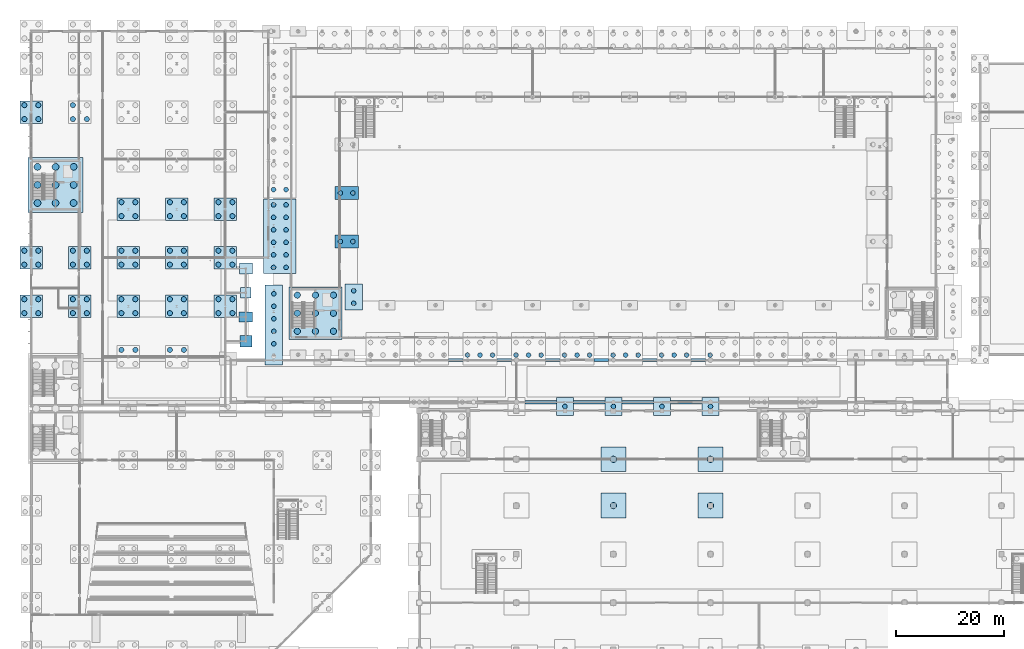
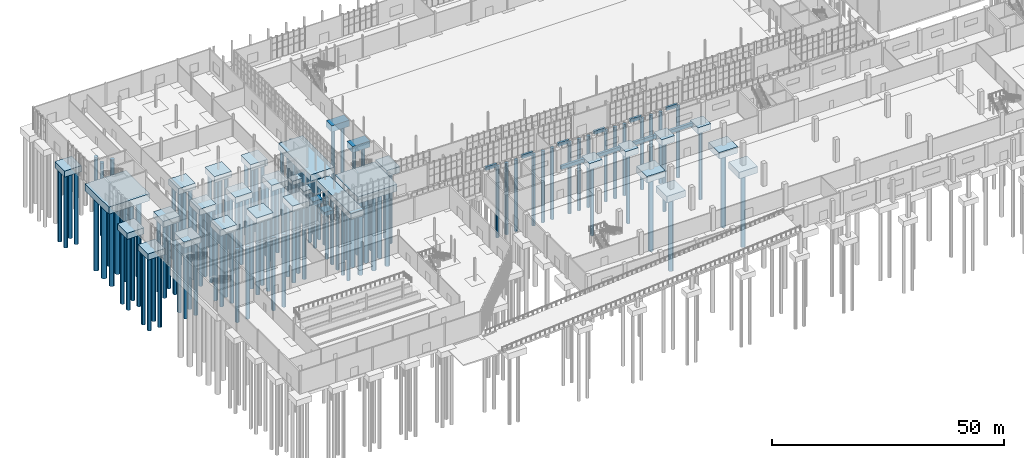
# One storey, part 3 of 131: 130 piles, 43 footings.
"""IFC4 building model written with IfcOpenShell, lengths in metres."""

import ifcopenshell
import ifcopenshell.guid

model = None  # the IFC model being written
_history = None  # IfcOwnerHistory: only IFC2X3 demands one
_inside = {}  # id of a spatial element -> (the spatial element, [elements in it])
_under = {}  # id of a project, library or spatial element -> (it, [spatial elements below it])
_declared = {}  # id of a project -> (the project, [libraries it declares])
_typed = {}  # id of a type object -> (the type object, [elements of that type])
_made_of = {}  # id of a material, layer set ... -> (it, [elements and type objects made of it])


def new_model(schema):
    """Start an empty IFC model of exactly this schema.

    Asked for "IFC4X3", IfcOpenShell would pick the latest addendum, in which some entities
    have other attributes; the version numbers below select the first issue.
    IFC2X3 requires an IfcOwnerHistory on every rooted entity: one is made here for all.
    """
    global model, _history
    if schema == "IFC4X3":
        model = ifcopenshell.file(schema_version=(4, 3, 0, 0))
    else:
        model = ifcopenshell.file(schema=schema)
    _inside.clear()
    _under.clear()
    _declared.clear()
    _typed.clear()
    _made_of.clear()
    _history = None
    if model.schema == "IFC2X3":
        org = make("IfcOrganization", Name="unknown")
        user = make(
            "IfcPersonAndOrganization",
            ThePerson=make("IfcPerson", FamilyName="unknown"),
            TheOrganization=org,
        )
        app = make(
            "IfcApplication",
            ApplicationDeveloper=org,
            Version="unknown",
            ApplicationFullName="unknown",
            ApplicationIdentifier="unknown",
        )
        _history = make(
            "IfcOwnerHistory",
            OwningUser=user,
            OwningApplication=app,
            ChangeAction="ADDED",
            CreationDate=0,
        )
    return model


def make(cls, **values):
    """One entity of the class cls with the attributes given. An attribute that is None is left unset."""
    return model.create_entity(
        cls, **{name: value for name, value in values.items() if value is not None}
    )


def rooted(cls, **values):
    """An entity with a GlobalId (a new one), such as an element, a storey or a relation."""
    return make(cls, GlobalId=ifcopenshell.guid.new(), OwnerHistory=_history, **values)


def si_unit(unit_type, name, prefix=None):
    """IfcSIUnit, for example si_unit("LENGTHUNIT", "METRE", prefix="MILLI")."""
    return make("IfcSIUnit", UnitType=unit_type, Prefix=prefix, Name=name)


def assignment(units):
    """IfcUnitAssignment: the units of a project."""
    return None if units is None else make("IfcUnitAssignment", Units=units)


def point(xyz):
    """IfcCartesianPoint."""
    return None if xyz is None else make("IfcCartesianPoint", Coordinates=xyz)


def direction(xyz):
    """IfcDirection."""
    return None if xyz is None else make("IfcDirection", DirectionRatios=xyz)


def frame(location, z_axis=None, x_axis=None):
    """IfcAxis2Placement3D, a coordinate frame: its origin and axes. An axis left out is left unset."""
    return make(
        "IfcAxis2Placement3D",
        Location=point(location),
        Axis=direction(z_axis),
        RefDirection=direction(x_axis),
    )


def frame_2d(location, x_axis=None):
    """IfcAxis2Placement2D, a coordinate frame in the plane: its origin and x axis."""
    return make(
        "IfcAxis2Placement2D", Location=point(location), RefDirection=direction(x_axis)
    )


def origin():
    """The frame at (0, 0, 0) with its axes left unset."""
    return frame((0.0, 0.0, 0.0))


def origin_2d():
    """The frame at (0, 0) in the plane with its x axis left unset."""
    return frame_2d((0.0, 0.0))


def place(relative_to, where):
    """IfcLocalPlacement: puts the frame where relative to a parent placement (None: the world)."""
    return make(
        "IfcLocalPlacement", PlacementRelTo=relative_to, RelativePlacement=where
    )


def context(
    kind, dimensions, precision=None, world=None, true_north=None, identifier=None
):
    """IfcGeometricRepresentationContext, for example the 3D "Model" context."""
    return make(
        "IfcGeometricRepresentationContext",
        ContextIdentifier=identifier,
        ContextType=kind,
        CoordinateSpaceDimension=dimensions,
        Precision=precision,
        WorldCoordinateSystem=world,
        TrueNorth=true_north,
    )


def subcontext(parent, identifier, kind, view, scale=None):
    """IfcGeometricRepresentationSubContext, for example "Body" below "Model"."""
    return make(
        "IfcGeometricRepresentationSubContext",
        ContextIdentifier=identifier,
        ContextType=kind,
        ParentContext=parent,
        TargetScale=scale,
        TargetView=view,
    )


def project(units=None, contexts=None):
    """IfcProject with its units and contexts."""
    return rooted(
        "IfcProject",
        Name="project",
        RepresentationContexts=contexts,
        UnitsInContext=assignment(units),
    )


def spatial(cls, under=None, at=None, **own):
    """A site, building, storey or space (cls), placed at a placement, below another one or the project."""
    s = rooted(cls, ObjectPlacement=at, **own)
    if under is not None:
        _under.setdefault(under.id(), (under, []))[1].append(s)
    return s


def profile(cls, at=None, kind="AREA", **sizes):
    """A parametric profile (cls). Its sizes go by their IFC names, for example OverallWidth=200.0."""
    return make(cls, ProfileType=kind, Position=at, **sizes)


def rectangle(**sizes):
    """IfcRectangleProfileDef."""
    return profile("IfcRectangleProfileDef", **sizes)


def circle(**sizes):
    """IfcCircleProfileDef."""
    return profile("IfcCircleProfileDef", **sizes)


def extrude(swept, where, along, depth):
    """IfcExtrudedAreaSolid: the profile swept, set in the frame where, extruded along a direction by depth."""
    return make(
        "IfcExtrudedAreaSolid",
        SweptArea=swept,
        Position=where,
        ExtrudedDirection=direction(along),
        Depth=depth,
    )


def shape(context_of_items, identifier, shape_type, items):
    """IfcShapeRepresentation: the items that make up one representation, for example the "Body"."""
    return make(
        "IfcShapeRepresentation",
        ContextOfItems=context_of_items,
        RepresentationIdentifier=identifier,
        RepresentationType=shape_type,
        Items=items,
    )


def material(Name=None, Category=None):
    """IfcMaterial."""
    return make("IfcMaterial", Name=Name, Category=Category)


def material_profile(
    of_material, cross_section, Name=None, Category=None, Priority=None
):
    """IfcMaterialProfile: a cross section and its material."""
    return make(
        "IfcMaterialProfile",
        Name=Name,
        Material=of_material,
        Profile=cross_section,
        Priority=Priority,
        Category=Category,
    )


def profile_set(profiles, Name=None, composite=None):
    """IfcMaterialProfileSet."""
    return make(
        "IfcMaterialProfileSet",
        Name=Name,
        MaterialProfiles=profiles,
        CompositeProfile=composite,
    )


def made_of(thing, what):
    """Note that an element or type object is made of a material, layer set ...; save() writes the relation."""
    if what is not None:
        _made_of.setdefault(what.id(), (what, []))[1].append(thing)
    return thing


def type_object(cls, material=None, **own):
    """A type object (cls), such as IfcWallType, which elements share."""
    return made_of(rooted(cls, **own), material)


def element(
    cls,
    number,
    at=None,
    inside=None,
    cuts=None,
    type_object=None,
    material=None,
    context=None,
    identifier="Body",
    shape_type=None,
    held_by="IfcProductDefinitionShape",
    body=None,
    shapes=None,
    **own,
):
    """One element of the class cls, such as IfcWall. Its Tag is "e" and its number.

    at: its placement. inside: the storey or other place that contains it. cuts: it is an
    opening in that element (IfcRelVoidsElement). A single representation is given by context,
    identifier, shape_type and body (its items); several are given by shapes. held_by: the class
    of the entity that holds the representations. save() writes the other relations.
    """
    e = rooted(cls, Tag="e%d" % number, ObjectPlacement=at, **own)
    if body is not None:
        shapes = [shape(context, identifier, shape_type, body)]
    if shapes is not None:
        e.Representation = make(held_by, Representations=shapes)
    if inside is not None:
        _inside.setdefault(inside.id(), (inside, []))[1].append(e)
    if cuts is not None:
        rooted(
            "IfcRelVoidsElement", RelatingBuildingElement=cuts, RelatedOpeningElement=e
        )
    if type_object is not None:
        _typed.setdefault(type_object.id(), (type_object, []))[1].append(e)
    return made_of(e, material)


def aggregate(whole, parts):
    """IfcRelAggregates: a whole, such as a stair, and the parts it consists of."""
    return rooted("IfcRelAggregates", RelatingObject=whole, RelatedObjects=parts)


def save(model, path):
    """Write the relations noted so far, then the file.

    IfcRelAggregates (storeys below a building ...), IfcRelContainedInSpatialStructure (elements
    in a storey), IfcRelDefinesByType, IfcRelAssociatesMaterial and IfcRelDeclares: one each for
    every whole, place, type object, material and project.
    """
    for whole, parts in _under.values():
        aggregate(whole, parts)
    for where, things in _inside.values():
        rooted(
            "IfcRelContainedInSpatialStructure",
            RelatedElements=things,
            RelatingStructure=where,
        )
    for kind, things in _typed.values():
        rooted("IfcRelDefinesByType", RelatedObjects=things, RelatingType=kind)
    for what, things in _made_of.values():
        rooted("IfcRelAssociatesMaterial", RelatedObjects=things, RelatingMaterial=what)
    for by, libraries in _declared.values():
        rooted("IfcRelDeclares", RelatingContext=by, RelatedDefinitions=libraries)
    model.write(path)


model = new_model("IFC4")

# Units and contexts
model_context = context("Model", 3, precision=1e-05, world=origin(), true_north=direction((0.0, 1.0)))
body_context = subcontext(model_context, "Body", "Model", "MODEL_VIEW")
ifc_project = project(units=[si_unit("LENGTHUNIT", "METRE"), si_unit("AREAUNIT", "SQUARE_METRE"), si_unit("VOLUMEUNIT", "CUBIC_METRE"), si_unit("PLANEANGLEUNIT", "RADIAN"), si_unit("MASSUNIT", "GRAM", prefix="KILO")], contexts=[model_context])

# Site, building, storey
site_placement = place(None, origin())
site = spatial("IfcSite", under=ifc_project, at=site_placement, CompositionType="ELEMENT")
building_placement = place(site_placement, origin())
building = spatial("IfcBuilding", under=site, at=building_placement, Name="Cazmaro Siding Exhibition Halls", CompositionType="ELEMENT")
storey_placement = place(building_placement, origin())
storey = spatial("IfcBuildingStorey", under=building, at=storey_placement, Name="L00", CompositionType="ELEMENT", Elevation=0.0)

# Footings
ifc_material_1 = material(Name="Concrete f'c 35 MPa", Category="concrete")
footing_type_1 = type_object("IfcFootingType", Name="GB-0270", PredefinedType="FOOTING_BEAM", material=ifc_material_1)
for number, where, z_axis, x_axis, name in (
    (1, (78.75, 63.0, -0.89990234375), (0.0, 0.0, 1.0), (1.0, 0.0, 0.0), "Seismic tie ground beam GB-0270 FTG-0269"),
    (2, (87.75, 63.0, -0.89990234375), (0.0, 0.0, 1.0), (1.0, 0.0, 0.0), "Seismic tie ground beam GB-0270 FTG-0270"),
    (3, (96.75, 63.0, -0.89990234375), (0.0, 0.0, 1.0), (1.0, 0.0, 0.0), "Seismic tie ground beam GB-0270 FTG-0271"),
    (4, (105.75, 63.0, -0.89990234375), (0.0, 0.0, 1.0), (1.0, 0.0, 0.0), "Seismic tie ground beam GB-0270 FTG-0272"),
    (5, (114.75, 63.0, -0.89990234375), (0.0, 0.0, 1.0), (1.0, 0.0, 0.0), "Seismic tie ground beam GB-0270 FTG-0273"),
    (6, (123.75, 63.0, -0.89990234375), (0.0, 0.0, 1.0), (1.0, 0.0, 0.0), "Seismic tie ground beam GB-0270 FTG-0274"),
):
    element("IfcFooting", number, at=place(storey_placement, frame(where, z_axis=z_axis, x_axis=x_axis)), inside=storey, type_object=footing_type_1, Name=name, PredefinedType="FOOTING_BEAM", context=body_context, shape_type="SweptSolid", body=[
        extrude(rectangle(XDim=2.699951171875, YDim=0.60009765625, at=origin_2d()), origin(), (0.0, 0.0, 1.0), 0.89990234375),
    ])
ifc_material_2 = material(Name="Concrete f'c 35 MPa", Category="concrete")
footing_type_2 = type_object("IfcFootingType", Name="GB-0580", PredefinedType="FOOTING_BEAM", material=ifc_material_2)
for number, where, z_axis, x_axis, name in (
    (7, (94.5, 55.199951171875, -0.89990234375), (0.0, 0.0, 1.0), (1.0, 0.0, 0.0), "Seismic tie ground beam GB-0580 FTG-0252"),
    (8, (103.5, 55.199951171875, -0.89990234375), (0.0, 0.0, 1.0), (1.0, 0.0, 0.0), "Seismic tie ground beam GB-0580 FTG-0253"),
    (9, (112.5, 55.199951171875, -0.89990234375), (0.0, 0.0, 1.0), (1.0, 0.0, 0.0), "Seismic tie ground beam GB-0580 FTG-0254"),
    (10, (121.5, 55.199951171875, -0.89990234375), (0.0, 0.0, 1.0), (1.0, 0.0, 0.0), "Seismic tie ground beam GB-0580 FTG-0255"),
):
    element("IfcFooting", number, at=place(storey_placement, frame(where, z_axis=z_axis, x_axis=x_axis)), inside=storey, type_object=footing_type_2, Name=name, PredefinedType="FOOTING_BEAM", context=body_context, shape_type="SweptSolid", body=[
        extrude(rectangle(XDim=5.800048828125, YDim=0.60009765625, at=origin_2d()), origin(), (0.0, 0.0, 1.0), 0.89990234375),
    ])

# Piles
ifc_material_3 = material(Name="Concrete f'c 35 MPa", Category="concrete")
ifc_material_profile_1 = material_profile(ifc_material_3, circle(Radius=0.429931640625, at=origin_2d()), Name="CIDH-860")
ifc_profile_set_1 = profile_set([ifc_material_profile_1], Name="Concrete f'c 35 MPa")
pile_type_1 = type_object("IfcPileType", Name="P-03", PredefinedType="BORED", material=ifc_profile_set_1)
for number, where, z_axis, x_axis, name in (
    (11, (44.93896484375, 80.195068359375, -1.5), (0.0, 0.0, -1.0), (1.0, 0.0, 0.0), "Bored pile P-03 PIL-0266"),
    (12, (44.93896484375, 82.51708984375, -1.5), (0.0, 0.0, -1.0), (1.0, 0.0, 0.0), "Bored pile P-03 PIL-0267"),
    (13, (44.93896484375, 84.839111328125, -1.5), (0.0, 0.0, -1.0), (1.0, 0.0, 0.0), "Bored pile P-03 PIL-0268"),
    (14, (44.93896484375, 87.160888671875, -1.5), (0.0, 0.0, -1.0), (1.0, 0.0, 0.0), "Bored pile P-03 PIL-0269"),
    (15, (44.93896484375, 89.48291015625, -1.5), (0.0, 0.0, -1.0), (1.0, 0.0, 0.0), "Bored pile P-03 PIL-0270"),
    (16, (44.93896484375, 91.804931640625, -1.5), (0.0, 0.0, -1.0), (1.0, 0.0, 0.0), "Bored pile P-03 PIL-0271"),
    (17, (47.260986328125, 80.195068359375, -1.5), (0.0, 0.0, -1.0), (1.0, 0.0, 0.0), "Bored pile P-03 PIL-0272"),
    (18, (47.260986328125, 82.51708984375, -1.5), (0.0, 0.0, -1.0), (1.0, 0.0, 0.0), "Bored pile P-03 PIL-0273"),
    (19, (47.260986328125, 84.839111328125, -1.5), (0.0, 0.0, -1.0), (1.0, 0.0, 0.0), "Bored pile P-03 PIL-0274"),
    (20, (47.260986328125, 87.160888671875, -1.5), (0.0, 0.0, -1.0), (1.0, 0.0, 0.0), "Bored pile P-03 PIL-0275"),
    (21, (47.260986328125, 89.48291015625, -1.5), (0.0, 0.0, -1.0), (1.0, 0.0, 0.0), "Bored pile P-03 PIL-0276"),
    (22, (47.260986328125, 91.804931640625, -1.5), (0.0, 0.0, -1.0), (1.0, 0.0, 0.0), "Bored pile P-03 PIL-0277"),
    (23, (44.93896484375, 94.62890625, -1.5), (0.0, 0.0, -1.0), (1.0, 0.0, 0.0), "Bored pile P-03 PIL-0278"),
    (24, (47.260986328125, 94.62890625, -1.5), (0.0, 0.0, -1.0), (1.0, 0.0, 0.0), "Bored pile P-03 PIL-0290"),
    (25, (45.0, 66.01708984375, -1.5), (0.0, 0.0, -1.0), (1.0, 0.0, 0.0), "Bored pile P-03 PIL-0315"),
    (26, (45.0, 68.339111328125, -1.5), (0.0, 0.0, -1.0), (1.0, 0.0, 0.0), "Bored pile P-03 PIL-0316"),
    (27, (45.0, 70.660888671875, -1.5), (0.0, 0.0, -1.0), (1.0, 0.0, 0.0), "Bored pile P-03 PIL-0317"),
    (28, (45.0, 72.98291015625, -1.5), (0.0, 0.0, -1.0), (1.0, 0.0, 0.0), "Bored pile P-03 PIL-0318"),
    (29, (45.0, 75.304931640625, -1.5), (0.0, 0.0, -1.0), (1.0, 0.0, 0.0), "Bored pile P-03 PIL-0319"),
    (30, (57.339111328125, 85.0, -1.5), (0.0, 0.0, -1.0), (1.0, 0.0, 0.0), "Bored pile P-03 PIL-0348"),
    (31, (59.660888671875, 85.0, -1.5), (0.0, 0.0, -1.0), (1.0, 0.0, 0.0), "Bored pile P-03 PIL-0349"),
    (32, (57.339111328125, 94.0, -1.5), (0.0, 0.0, -1.0), (1.0, 0.0, 0.0), "Bored pile P-03 PIL-0350"),
    (33, (59.660888671875, 94.0, -1.5), (0.0, 0.0, -1.0), (1.0, 0.0, 0.0), "Bored pile P-03 PIL-0351"),
    (34, (59.800048828125, 73.5390625, -1.5), (0.0, 0.0, -1.0), (1.0, 0.0, 0.0), "Bored pile P-03 PIL-0360"),
    (35, (59.800048828125, 75.861083984375, -1.5), (0.0, 0.0, -1.0), (1.0, 0.0, 0.0), "Bored pile P-03 PIL-0361"),
    (36, (80.927978515625, 63.93896484375, -1.5), (0.0, 0.0, -1.0), (1.0, 0.0, 0.0), "Bored pile P-03 PIL-0417"),
    (37, (83.25, 63.93896484375, -1.5), (0.0, 0.0, -1.0), (1.0, 0.0, 0.0), "Bored pile P-03 PIL-0419"),
    (38, (85.572021484375, 63.93896484375, -1.5), (0.0, 0.0, -1.0), (1.0, 0.0, 0.0), "Bored pile P-03 PIL-0421"),
    (39, (89.927978515625, 63.93896484375, -1.5), (0.0, 0.0, -1.0), (1.0, 0.0, 0.0), "Bored pile P-03 PIL-0441"),
    (40, (92.25, 63.93896484375, -1.5), (0.0, 0.0, -1.0), (1.0, 0.0, 0.0), "Bored pile P-03 PIL-0443"),
    (41, (94.572021484375, 63.93896484375, -1.5), (0.0, 0.0, -1.0), (1.0, 0.0, 0.0), "Bored pile P-03 PIL-0445"),
    (42, (99.0, 54.39990234375, -1.5), (0.0, 0.0, -1.0), (1.0, 0.0, 0.0), "Bored pile P-03 PIL-0458"),
    (43, (98.927978515625, 63.93896484375, -1.5), (0.0, 0.0, -1.0), (1.0, 0.0, 0.0), "Bored pile P-03 PIL-0459"),
    (44, (101.25, 63.93896484375, -1.5), (0.0, 0.0, -1.0), (1.0, 0.0, 0.0), "Bored pile P-03 PIL-0461"),
    (45, (103.572021484375, 63.93896484375, -1.5), (0.0, 0.0, -1.0), (1.0, 0.0, 0.0), "Bored pile P-03 PIL-0463"),
    (46, (108.0, 54.39990234375, -1.5), (0.0, 0.0, -1.0), (1.0, 0.0, 0.0), "Bored pile P-03 PIL-0480"),
    (47, (107.927978515625, 63.93896484375, -1.5), (0.0, 0.0, -1.0), (1.0, 0.0, 0.0), "Bored pile P-03 PIL-0481"),
    (48, (110.25, 63.93896484375, -1.5), (0.0, 0.0, -1.0), (1.0, 0.0, 0.0), "Bored pile P-03 PIL-0483"),
    (49, (112.572021484375, 63.93896484375, -1.5), (0.0, 0.0, -1.0), (1.0, 0.0, 0.0), "Bored pile P-03 PIL-0485"),
    (50, (117.0, 54.39990234375, -1.5), (0.0, 0.0, -1.0), (1.0, 0.0, 0.0), "Bored pile P-03 PIL-0497"),
    (51, (116.927978515625, 63.93896484375, -1.5), (0.0, 0.0, -1.0), (1.0, 0.0, 0.0), "Bored pile P-03 PIL-0498"),
    (52, (119.25, 63.93896484375, -1.5), (0.0, 0.0, -1.0), (1.0, 0.0, 0.0), "Bored pile P-03 PIL-0500"),
    (53, (121.572021484375, 63.93896484375, -1.5), (0.0, 0.0, -1.0), (1.0, 0.0, 0.0), "Bored pile P-03 PIL-0502"),
    (54, (126.0, 54.39990234375, -1.5), (0.0, 0.0, -1.0), (1.0, 0.0, 0.0), "Bored pile P-03 PIL-0519"),
    (55, (125.927978515625, 63.93896484375, -1.5), (0.0, 0.0, -1.0), (1.0, 0.0, 0.0), "Bored pile P-03 PIL-0520"),
):
    element("IfcPile", number, at=place(storey_placement, frame(where, z_axis=z_axis, x_axis=x_axis)), inside=storey, type_object=pile_type_1, Name=name, PredefinedType="BORED", context=body_context, shape_type="SweptSolid", body=[
        extrude(circle(Radius=0.429931640625, at=origin_2d()), origin(), (0.0, 0.0, 1.0), 18.800048828125),
    ])
ifc_material_4 = material(Name="Concrete f'c 35 MPa", Category="concrete")
ifc_material_profile_2 = material_profile(ifc_material_4, circle(Radius=0.47998046875, at=origin_2d()), Name="CIDH-960")
ifc_profile_set_2 = profile_set([ifc_material_profile_2], Name="Concrete f'c 35 MPa")
pile_type_2 = type_object("IfcPileType", Name="P-04", PredefinedType="BORED", material=ifc_profile_set_2)
for number, where, z_axis, x_axis, name in (
    (56, (-1.2958984375, 71.7041015625, -1.5), (0.0, 0.0, -1.0), (1.0, 0.0, 0.0), "Bored pile P-04 PIL-0086"),
    (57, (1.2958984375, 71.7041015625, -1.5), (0.0, 0.0, -1.0), (1.0, 0.0, 0.0), "Bored pile P-04 PIL-0087"),
    (58, (-1.2958984375, 74.2958984375, -1.5), (0.0, 0.0, -1.0), (1.0, 0.0, 0.0), "Bored pile P-04 PIL-0088"),
    (59, (1.2958984375, 74.2958984375, -1.5), (0.0, 0.0, -1.0), (1.0, 0.0, 0.0), "Bored pile P-04 PIL-0089"),
    (60, (-1.2958984375, 80.7041015625, -1.5), (0.0, 0.0, -1.0), (1.0, 0.0, 0.0), "Bored pile P-04 PIL-0090"),
    (61, (1.2958984375, 80.7041015625, -1.5), (0.0, 0.0, -1.0), (1.0, 0.0, 0.0), "Bored pile P-04 PIL-0091"),
    (62, (-1.2958984375, 83.2958984375, -1.5), (0.0, 0.0, -1.0), (1.0, 0.0, 0.0), "Bored pile P-04 PIL-0092"),
    (63, (1.2958984375, 83.2958984375, -1.5), (0.0, 0.0, -1.0), (1.0, 0.0, 0.0), "Bored pile P-04 PIL-0093"),
    (64, (-1.2958984375, 107.7041015625, -1.5), (0.0, 0.0, -1.0), (1.0, 0.0, 0.0), "Bored pile P-04 PIL-0094"),
    (65, (1.2958984375, 107.7041015625, -1.5), (0.0, 0.0, -1.0), (1.0, 0.0, 0.0), "Bored pile P-04 PIL-0095"),
    (66, (-1.2958984375, 110.2958984375, -1.5), (0.0, 0.0, -1.0), (1.0, 0.0, 0.0), "Bored pile P-04 PIL-0096"),
    (67, (1.2958984375, 110.2958984375, -1.5), (0.0, 0.0, -1.0), (1.0, 0.0, 0.0), "Bored pile P-04 PIL-0097"),
    (68, (7.7041015625, 71.7041015625, -1.5), (0.0, 0.0, -1.0), (1.0, 0.0, 0.0), "Bored pile P-04 PIL-0114"),
    (69, (10.2958984375, 71.7041015625, -1.5), (0.0, 0.0, -1.0), (1.0, 0.0, 0.0), "Bored pile P-04 PIL-0115"),
    (70, (7.7041015625, 74.2958984375, -1.5), (0.0, 0.0, -1.0), (1.0, 0.0, 0.0), "Bored pile P-04 PIL-0116"),
    (71, (10.2958984375, 74.2958984375, -1.5), (0.0, 0.0, -1.0), (1.0, 0.0, 0.0), "Bored pile P-04 PIL-0117"),
    (72, (7.7041015625, 80.7041015625, -1.5), (0.0, 0.0, -1.0), (1.0, 0.0, 0.0), "Bored pile P-04 PIL-0118"),
    (73, (10.2958984375, 80.7041015625, -1.5), (0.0, 0.0, -1.0), (1.0, 0.0, 0.0), "Bored pile P-04 PIL-0119"),
    (74, (7.7041015625, 83.2958984375, -1.5), (0.0, 0.0, -1.0), (1.0, 0.0, 0.0), "Bored pile P-04 PIL-0120"),
    (75, (10.2958984375, 83.2958984375, -1.5), (0.0, 0.0, -1.0), (1.0, 0.0, 0.0), "Bored pile P-04 PIL-0121"),
    (76, (7.7041015625, 107.7041015625, -1.5), (0.0, 0.0, -1.0), (1.0, 0.0, 0.0), "Bored pile P-04 PIL-0122"),
    (77, (10.2958984375, 107.7041015625, -1.5), (0.0, 0.0, -1.0), (1.0, 0.0, 0.0), "Bored pile P-04 PIL-0123"),
    (78, (7.7041015625, 110.2958984375, -1.5), (0.0, 0.0, -1.0), (1.0, 0.0, 0.0), "Bored pile P-04 PIL-0124"),
    (79, (16.7041015625, 64.89599609375, -1.5), (0.0, 0.0, -1.0), (1.0, 0.0, 0.0), "Bored pile P-04 PIL-0149"),
    (80, (19.2958984375, 64.89599609375, -1.5), (0.0, 0.0, -1.0), (1.0, 0.0, 0.0), "Bored pile P-04 PIL-0150"),
    (81, (16.7041015625, 71.7041015625, -1.5), (0.0, 0.0, -1.0), (1.0, 0.0, 0.0), "Bored pile P-04 PIL-0151"),
    (82, (19.2958984375, 71.7041015625, -1.5), (0.0, 0.0, -1.0), (1.0, 0.0, 0.0), "Bored pile P-04 PIL-0152"),
    (83, (16.7041015625, 74.2958984375, -1.5), (0.0, 0.0, -1.0), (1.0, 0.0, 0.0), "Bored pile P-04 PIL-0153"),
    (84, (19.2958984375, 74.2958984375, -1.5), (0.0, 0.0, -1.0), (1.0, 0.0, 0.0), "Bored pile P-04 PIL-0154"),
    (85, (16.7041015625, 80.7041015625, -1.5), (0.0, 0.0, -1.0), (1.0, 0.0, 0.0), "Bored pile P-04 PIL-0155"),
    (86, (19.2958984375, 80.7041015625, -1.5), (0.0, 0.0, -1.0), (1.0, 0.0, 0.0), "Bored pile P-04 PIL-0156"),
    (87, (16.7041015625, 83.2958984375, -1.5), (0.0, 0.0, -1.0), (1.0, 0.0, 0.0), "Bored pile P-04 PIL-0157"),
    (88, (19.2958984375, 83.2958984375, -1.5), (0.0, 0.0, -1.0), (1.0, 0.0, 0.0), "Bored pile P-04 PIL-0158"),
    (89, (16.7041015625, 89.7041015625, -1.5), (0.0, 0.0, -1.0), (1.0, 0.0, 0.0), "Bored pile P-04 PIL-0159"),
    (90, (19.2958984375, 89.7041015625, -1.5), (0.0, 0.0, -1.0), (1.0, 0.0, 0.0), "Bored pile P-04 PIL-0160"),
    (91, (16.7041015625, 92.2958984375, -1.5), (0.0, 0.0, -1.0), (1.0, 0.0, 0.0), "Bored pile P-04 PIL-0161"),
    (92, (19.2958984375, 92.2958984375, -1.5), (0.0, 0.0, -1.0), (1.0, 0.0, 0.0), "Bored pile P-04 PIL-0162"),
    (93, (25.7041015625, 64.89599609375, -1.5), (0.0, 0.0, -1.0), (1.0, 0.0, 0.0), "Bored pile P-04 PIL-0194"),
    (94, (28.2958984375, 64.89599609375, -1.5), (0.0, 0.0, -1.0), (1.0, 0.0, 0.0), "Bored pile P-04 PIL-0195"),
    (95, (25.7041015625, 71.7041015625, -1.5), (0.0, 0.0, -1.0), (1.0, 0.0, 0.0), "Bored pile P-04 PIL-0196"),
    (96, (28.2958984375, 71.7041015625, -1.5), (0.0, 0.0, -1.0), (1.0, 0.0, 0.0), "Bored pile P-04 PIL-0197"),
    (97, (25.7041015625, 74.2958984375, -1.5), (0.0, 0.0, -1.0), (1.0, 0.0, 0.0), "Bored pile P-04 PIL-0198"),
    (98, (28.2958984375, 74.2958984375, -1.5), (0.0, 0.0, -1.0), (1.0, 0.0, 0.0), "Bored pile P-04 PIL-0199"),
    (99, (25.7041015625, 80.7041015625, -1.5), (0.0, 0.0, -1.0), (1.0, 0.0, 0.0), "Bored pile P-04 PIL-0200"),
    (100, (28.2958984375, 80.7041015625, -1.5), (0.0, 0.0, -1.0), (1.0, 0.0, 0.0), "Bored pile P-04 PIL-0201"),
    (101, (25.7041015625, 83.2958984375, -1.5), (0.0, 0.0, -1.0), (1.0, 0.0, 0.0), "Bored pile P-04 PIL-0202"),
    (102, (28.2958984375, 83.2958984375, -1.5), (0.0, 0.0, -1.0), (1.0, 0.0, 0.0), "Bored pile P-04 PIL-0203"),
    (103, (25.7041015625, 89.7041015625, -1.5), (0.0, 0.0, -1.0), (1.0, 0.0, 0.0), "Bored pile P-04 PIL-0204"),
    (104, (28.2958984375, 89.7041015625, -1.5), (0.0, 0.0, -1.0), (1.0, 0.0, 0.0), "Bored pile P-04 PIL-0205"),
    (105, (25.7041015625, 92.2958984375, -1.5), (0.0, 0.0, -1.0), (1.0, 0.0, 0.0), "Bored pile P-04 PIL-0206"),
    (106, (28.2958984375, 92.2958984375, -1.5), (0.0, 0.0, -1.0), (1.0, 0.0, 0.0), "Bored pile P-04 PIL-0207"),
    (107, (34.7041015625, 71.7041015625, -1.5), (0.0, 0.0, -1.0), (1.0, 0.0, 0.0), "Bored pile P-04 PIL-0238"),
    (108, (37.2958984375, 71.7041015625, -1.5), (0.0, 0.0, -1.0), (1.0, 0.0, 0.0), "Bored pile P-04 PIL-0239"),
    (109, (34.7041015625, 74.2958984375, -1.5), (0.0, 0.0, -1.0), (1.0, 0.0, 0.0), "Bored pile P-04 PIL-0240"),
    (110, (37.2958984375, 74.2958984375, -1.5), (0.0, 0.0, -1.0), (1.0, 0.0, 0.0), "Bored pile P-04 PIL-0241"),
    (111, (34.7041015625, 80.7041015625, -1.5), (0.0, 0.0, -1.0), (1.0, 0.0, 0.0), "Bored pile P-04 PIL-0242"),
    (112, (37.2958984375, 80.7041015625, -1.5), (0.0, 0.0, -1.0), (1.0, 0.0, 0.0), "Bored pile P-04 PIL-0243"),
    (113, (34.7041015625, 83.2958984375, -1.5), (0.0, 0.0, -1.0), (1.0, 0.0, 0.0), "Bored pile P-04 PIL-0244"),
    (114, (37.2958984375, 83.2958984375, -1.5), (0.0, 0.0, -1.0), (1.0, 0.0, 0.0), "Bored pile P-04 PIL-0245"),
    (115, (34.7041015625, 89.7041015625, -1.5), (0.0, 0.0, -1.0), (1.0, 0.0, 0.0), "Bored pile P-04 PIL-0246"),
    (116, (37.2958984375, 89.7041015625, -1.5), (0.0, 0.0, -1.0), (1.0, 0.0, 0.0), "Bored pile P-04 PIL-0247"),
    (117, (34.7041015625, 92.2958984375, -1.5), (0.0, 0.0, -1.0), (1.0, 0.0, 0.0), "Bored pile P-04 PIL-0248"),
    (118, (37.2958984375, 92.2958984375, -1.5), (0.0, 0.0, -1.0), (1.0, 0.0, 0.0), "Bored pile P-04 PIL-0249"),
):
    element("IfcPile", number, at=place(storey_placement, frame(where, z_axis=z_axis, x_axis=x_axis)), inside=storey, type_object=pile_type_2, Name=name, PredefinedType="BORED", context=body_context, shape_type="SweptSolid", body=[
        extrude(circle(Radius=0.47998046875, at=origin_2d()), origin(), (0.0, 0.0, 1.0), 19.199951171875),
    ])
ifc_material_5 = material(Name="Concrete f'c 35 MPa", Category="concrete")
ifc_material_profile_3 = material_profile(ifc_material_5, circle(Radius=0.580078125, at=origin_2d()), Name="CIDH-1160")
ifc_profile_set_3 = profile_set([ifc_material_profile_3], Name="Concrete f'c 35 MPa")
pile_type_3 = type_object("IfcPileType", Name="P-06", PredefinedType="BORED", material=ifc_profile_set_3)
for number, where, z_axis, x_axis, name in (
    (119, (49.35009765625, 68.35009765625, -1.699951171875), (0.0, 0.0, -1.0), (1.0, 0.0, 0.0), "Bored pile P-06 PIL-0016"),
    (120, (49.35009765625, 71.699951171875, -1.699951171875), (0.0, 0.0, -1.0), (1.0, 0.0, 0.0), "Bored pile P-06 PIL-0017"),
    (121, (49.35009765625, 75.050048828125, -1.699951171875), (0.0, 0.0, -1.0), (1.0, 0.0, 0.0), "Bored pile P-06 PIL-0018"),
    (122, (52.699951171875, 68.35009765625, -1.699951171875), (0.0, 0.0, -1.0), (1.0, 0.0, 0.0), "Bored pile P-06 PIL-0019"),
    (123, (52.699951171875, 71.699951171875, -1.699951171875), (0.0, 0.0, -1.0), (1.0, 0.0, 0.0), "Bored pile P-06 PIL-0020"),
    (124, (52.699951171875, 75.050048828125, -1.699951171875), (0.0, 0.0, -1.0), (1.0, 0.0, 0.0), "Bored pile P-06 PIL-0021"),
    (125, (56.050048828125, 68.35009765625, -1.699951171875), (0.0, 0.0, -1.0), (1.0, 0.0, 0.0), "Bored pile P-06 PIL-0022"),
    (126, (56.050048828125, 71.699951171875, -1.699951171875), (0.0, 0.0, -1.0), (1.0, 0.0, 0.0), "Bored pile P-06 PIL-0023"),
    (127, (56.050048828125, 75.050048828125, -1.699951171875), (0.0, 0.0, -1.0), (1.0, 0.0, 0.0), "Bored pile P-06 PIL-0024"),
    (128, (108.0, 36.0, -1.60009765625), (0.0, 0.0, -1.0), (1.0, 0.0, 0.0), "Bored pile P-06 PIL-0478"),
    (129, (108.0, 44.60009765625, -1.60009765625), (0.0, 0.0, -1.0), (1.0, 0.0, 0.0), "Bored pile P-06 PIL-0479"),
    (130, (126.0, 36.0, -1.60009765625), (0.0, 0.0, -1.0), (1.0, 0.0, 0.0), "Bored pile P-06 PIL-0517"),
    (131, (126.0, 44.60009765625, -1.60009765625), (0.0, 0.0, -1.0), (1.0, 0.0, 0.0), "Bored pile P-06 PIL-0518"),
):
    element("IfcPile", number, at=place(storey_placement, frame(where, z_axis=z_axis, x_axis=x_axis)), inside=storey, type_object=pile_type_3, Name=name, PredefinedType="BORED", context=body_context, shape_type="SweptSolid", body=[
        extrude(circle(Radius=0.580078125, at=origin_2d()), origin(), (0.0, 0.0, 1.0), 20.0),
    ])
ifc_material_6 = material(Name="Concrete f'c 35 MPa", Category="concrete")
ifc_material_profile_4 = material_profile(ifc_material_6, circle(Radius=0.6298828125, at=origin_2d()), Name="CIDH-1260")
ifc_profile_set_4 = profile_set([ifc_material_profile_4], Name="Concrete f'c 35 MPa")
pile_type_4 = type_object("IfcPileType", Name="P-07", PredefinedType="BORED", material=ifc_profile_set_4)
for number, where, z_axis, x_axis, name in (
    (132, (1.14990234375, 92.14990234375, -1.75), (0.0, 0.0, -1.0), (1.0, 0.0, 0.0), "Bored pile P-07 PIL-0061"),
    (133, (1.14990234375, 95.5, -1.75), (0.0, 0.0, -1.0), (1.0, 0.0, 0.0), "Bored pile P-07 PIL-0062"),
    (134, (1.14990234375, 98.85009765625, -1.75), (0.0, 0.0, -1.0), (1.0, 0.0, 0.0), "Bored pile P-07 PIL-0063"),
    (135, (4.5, 92.14990234375, -1.75), (0.0, 0.0, -1.0), (1.0, 0.0, 0.0), "Bored pile P-07 PIL-0064"),
    (136, (4.5, 95.5, -1.75), (0.0, 0.0, -1.0), (1.0, 0.0, 0.0), "Bored pile P-07 PIL-0065"),
    (137, (4.5, 98.85009765625, -1.75), (0.0, 0.0, -1.0), (1.0, 0.0, 0.0), "Bored pile P-07 PIL-0066"),
    (138, (7.85009765625, 92.14990234375, -1.75), (0.0, 0.0, -1.0), (1.0, 0.0, 0.0), "Bored pile P-07 PIL-0067"),
    (139, (7.85009765625, 95.5, -1.75), (0.0, 0.0, -1.0), (1.0, 0.0, 0.0), "Bored pile P-07 PIL-0068"),
    (140, (7.85009765625, 98.85009765625, -1.75), (0.0, 0.0, -1.0), (1.0, 0.0, 0.0), "Bored pile P-07 PIL-0069"),
):
    element("IfcPile", number, at=place(storey_placement, frame(where, z_axis=z_axis, x_axis=x_axis)), inside=storey, type_object=pile_type_4, Name=name, PredefinedType="BORED", context=body_context, shape_type="SweptSolid", body=[
        extrude(circle(Radius=0.6298828125, at=origin_2d()), origin(), (0.0, 0.0, 1.0), 20.39990234375),
    ])

# Footings
ifc_material_7 = material(Name="Concrete f'c 35 MPa", Category="concrete")
footing_type_3 = type_object("IfcFootingType", Name="PC-04", PredefinedType="PILE_CAP", material=ifc_material_7)
for number, where, z_axis, x_axis, name in (
    (141, (0.0, 73.0, -1.60009765625), (0.0, 0.0, 1.0), (1.0, 0.0, 0.0), "Pile cap PC-04 FTG-0016"),
    (142, (0.0, 82.0, -1.60009765625), (0.0, 0.0, 1.0), (1.0, 0.0, 0.0), "Pile cap PC-04 FTG-0017"),
    (143, (0.0, 109.0, -1.60009765625), (0.0, 0.0, 1.0), (1.0, 0.0, 0.0), "Pile cap PC-04 FTG-0018"),
    (144, (9.0, 73.0, -1.60009765625), (0.0, 0.0, 1.0), (1.0, 0.0, 0.0), "Pile cap PC-04 FTG-0023"),
    (145, (9.0, 82.0, -1.60009765625), (0.0, 0.0, 1.0), (1.0, 0.0, 0.0), "Pile cap PC-04 FTG-0024"),
    (146, (18.0, 73.0, -1.60009765625), (0.0, 0.0, 1.0), (1.0, 0.0, 0.0), "Pile cap PC-04 FTG-0033"),
    (147, (18.0, 82.0, -1.60009765625), (0.0, 0.0, 1.0), (1.0, 0.0, 0.0), "Pile cap PC-04 FTG-0034"),
    (148, (18.0, 91.0, -1.60009765625), (0.0, 0.0, 1.0), (1.0, 0.0, 0.0), "Pile cap PC-04 FTG-0035"),
    (149, (27.0, 73.0, -1.60009765625), (0.0, 0.0, 1.0), (1.0, 0.0, 0.0), "Pile cap PC-04 FTG-0045"),
    (150, (27.0, 82.0, -1.60009765625), (0.0, 0.0, 1.0), (1.0, 0.0, 0.0), "Pile cap PC-04 FTG-0046"),
    (151, (27.0, 91.0, -1.60009765625), (0.0, 0.0, 1.0), (1.0, 0.0, 0.0), "Pile cap PC-04 FTG-0047"),
    (152, (36.0, 73.0, -1.60009765625), (0.0, 0.0, 1.0), (1.0, 0.0, 0.0), "Pile cap PC-04 FTG-0057"),
    (153, (36.0, 82.0, -1.60009765625), (0.0, 0.0, 1.0), (1.0, 0.0, 0.0), "Pile cap PC-04 FTG-0058"),
    (154, (36.0, 91.0, -1.60009765625), (0.0, 0.0, 1.0), (1.0, 0.0, 0.0), "Pile cap PC-04 FTG-0059"),
):
    element("IfcFooting", number, at=place(storey_placement, frame(where, z_axis=z_axis, x_axis=x_axis)), inside=storey, type_object=footing_type_3, Name=name, PredefinedType="PILE_CAP", context=body_context, shape_type="SweptSolid", body=[
        extrude(rectangle(XDim=4.199951171875, YDim=4.199951171875, at=origin_2d()), origin(), (0.0, 0.0, 1.0), 1.60009765625),
    ])
ifc_material_8 = material(Name="Concrete f'c 35 MPa", Category="concrete")
footing_type_4 = type_object("IfcFootingType", Name="PC-05", PredefinedType="PILE_CAP", material=ifc_material_8)
for number, where, z_axis, x_axis, name in (
    (155, (108.0, 36.0, -1.7001953125), (0.0, 0.0, 1.0), (1.0, 0.0, 0.0), "Pile cap PC-05 FTG-0134"),
    (156, (108.0, 44.60009765625, -1.7001953125), (0.0, 0.0, 1.0), (1.0, 0.0, 0.0), "Pile cap PC-05 FTG-0135"),
    (157, (126.0, 36.0, -1.7001953125), (0.0, 0.0, 1.0), (1.0, 0.0, 0.0), "Pile cap PC-05 FTG-0151"),
    (158, (126.0, 44.60009765625, -1.7001953125), (0.0, 0.0, 1.0), (1.0, 0.0, 0.0), "Pile cap PC-05 FTG-0152"),
):
    element("IfcFooting", number, at=place(storey_placement, frame(where, z_axis=z_axis, x_axis=x_axis)), inside=storey, type_object=footing_type_4, Name=name, PredefinedType="PILE_CAP", context=body_context, shape_type="SweptSolid", body=[
        extrude(rectangle(XDim=4.60009765625, YDim=4.60009765625, at=origin_2d()), origin(), (0.0, 0.0, 1.0), 1.699951171875),
    ])
ifc_material_9 = material(Name="Concrete f'c 35 MPa", Category="concrete")
footing_type_5 = type_object("IfcFootingType", Name="PC-12", PredefinedType="PILE_CAP", material=ifc_material_9)
footing_1_placement = place(storey_placement, frame((52.699951171875, 71.699951171875, -1.7998046875), z_axis=(0.0, 0.0, 1.0), x_axis=(1.0, 0.0, 0.0)))
element("IfcFooting", 159, at=footing_1_placement, inside=storey, type_object=footing_type_5, Name="Pile cap PC-12 FTG-0002", PredefinedType="PILE_CAP", context=body_context, shape_type="SweptSolid", body=[
    extrude(rectangle(XDim=9.800048828125, YDim=9.800048828125, at=origin_2d()), origin(), (0.0, 0.0, 1.0), 1.800048828125),
])
ifc_material_10 = material(Name="Concrete f'c 35 MPa", Category="concrete")
footing_type_6 = type_object("IfcFootingType", Name="PC-13", PredefinedType="PILE_CAP", material=ifc_material_10)
footing_2_placement = place(storey_placement, frame((4.5, 95.5, -1.85009765625), z_axis=(0.0, 0.0, 1.0), x_axis=(1.0, 0.0, 0.0)))
element("IfcFooting", 160, at=footing_2_placement, inside=storey, type_object=footing_type_6, Name="Pile cap PC-13 FTG-0007", PredefinedType="PILE_CAP", context=body_context, shape_type="SweptSolid", body=[
    extrude(rectangle(XDim=10.199951171875, YDim=10.199951171875, at=origin_2d()), origin(), (0.0, 0.0, 1.0), 1.85009765625),
])
ifc_material_11 = material(Name="Concrete f'c 35 MPa", Category="concrete")
footing_type_7 = type_object("IfcFootingType", Name="PC-22", PredefinedType="PILE_CAP", material=ifc_material_11)
footing_3_placement = place(storey_placement, frame((46.10009765625, 86.0, -1.60009765625), z_axis=(0.0, 0.0, 1.0), x_axis=(1.0, 0.0, 0.0)))
element("IfcFooting", 161, at=footing_3_placement, inside=storey, type_object=footing_type_7, Name="Pile cap PC-22 FTG-0064", PredefinedType="PILE_CAP", context=body_context, shape_type="SweptSolid", body=[
    extrude(rectangle(XDim=6.0, YDim=13.800048828125, at=origin_2d()), origin(), (0.0, 0.0, 1.0), 1.60009765625),
])
ifc_material_12 = material(Name="Concrete f'c 35 MPa", Category="concrete")
footing_type_8 = type_object("IfcFootingType", Name="PC-27", PredefinedType="PILE_CAP", material=ifc_material_12)
footing_4_placement = place(storey_placement, frame((45.0, 69.5, -1.60009765625), z_axis=(0.0, 0.0, 1.0), x_axis=(1.0, 0.0, 0.0)))
element("IfcFooting", 162, at=footing_4_placement, inside=storey, type_object=footing_type_8, Name="Pile cap PC-27 FTG-0071", PredefinedType="PILE_CAP", context=body_context, shape_type="SweptSolid", body=[
    extrude(rectangle(XDim=3.199951171875, YDim=14.800048828125, at=origin_2d()), origin(), (0.0, 0.0, 1.0), 1.60009765625),
])
ifc_material_13 = material(Name="Concrete f'c 35 MPa", Category="concrete")
footing_type_9 = type_object("IfcFootingType", Name="PC-32", PredefinedType="PILE_CAP", material=ifc_material_13)
footing_5_placement = place(storey_placement, frame((58.5, 85.0, -1.60009765625), z_axis=(0.0, 0.0, 1.0), x_axis=(1.0, 0.0, 0.0)))
element("IfcFooting", 163, at=footing_5_placement, inside=storey, type_object=footing_type_9, Name="Pile cap PC-32 FTG-0082", PredefinedType="PILE_CAP", context=body_context, shape_type="SweptSolid", body=[
    extrude(rectangle(XDim=4.39990234375, YDim=2.39990234375, at=origin_2d()), origin(), (0.0, 0.0, 1.0), 1.60009765625),
])
ifc_material_14 = material(Name="Concrete f'c 35 MPa", Category="concrete")
footing_type_10 = type_object("IfcFootingType", Name="PC-33", PredefinedType="PILE_CAP", material=ifc_material_14)
footing_6_placement = place(storey_placement, frame((58.5, 94.0, -1.60009765625), z_axis=(0.0, 0.0, 1.0), x_axis=(1.0, 0.0, 0.0)))
element("IfcFooting", 164, at=footing_6_placement, inside=storey, type_object=footing_type_10, Name="Pile cap PC-33 FTG-0083", PredefinedType="PILE_CAP", context=body_context, shape_type="SweptSolid", body=[
    extrude(rectangle(XDim=4.39990234375, YDim=2.39990234375, at=origin_2d()), origin(), (0.0, 0.0, 1.0), 1.60009765625),
])
ifc_material_15 = material(Name="Concrete f'c 35 MPa", Category="concrete")
footing_type_11 = type_object("IfcFootingType", Name="PC-36", PredefinedType="PILE_CAP", material=ifc_material_15)
footing_7_placement = place(storey_placement, frame((59.800048828125, 74.699951171875, -1.60009765625), z_axis=(0.0, 0.0, 1.0), x_axis=(1.0, 0.0, 0.0)))
element("IfcFooting", 165, at=footing_7_placement, inside=storey, type_object=footing_type_11, Name="Pile cap PC-36 FTG-0087", PredefinedType="PILE_CAP", context=body_context, shape_type="SweptSolid", body=[
    extrude(rectangle(XDim=3.199951171875, YDim=4.800048828125, at=origin_2d()), origin(), (0.0, 0.0, 1.0), 1.60009765625),
])
ifc_material_16 = material(Name="Concrete f'c 35 MPa", Category="concrete")
footing_type_12 = type_object("IfcFootingType", Name="PC-50", PredefinedType="PILE_CAP", material=ifc_material_16)
footing_8_placement = place(storey_placement, frame((99.0, 54.39990234375, -1.60009765625), z_axis=(0.0, 0.0, 1.0), x_axis=(1.0, 0.0, 0.0)))
element("IfcFooting", 166, at=footing_8_placement, inside=storey, type_object=footing_type_12, Name="Pile cap PC-50 FTG-0125", PredefinedType="PILE_CAP", context=body_context, shape_type="SweptSolid", body=[
    extrude(rectangle(XDim=3.199951171875, YDim=3.39990234375, at=origin_2d()), origin(), (0.0, 0.0, 1.0), 1.60009765625),
])
ifc_material_17 = material(Name="Concrete f'c 35 MPa", Category="concrete")
footing_type_13 = type_object("IfcFootingType", Name="PC-54", PredefinedType="PILE_CAP", material=ifc_material_17)
footing_9_placement = place(storey_placement, frame((108.0, 54.39990234375, -1.60009765625), z_axis=(0.0, 0.0, 1.0), x_axis=(1.0, 0.0, 0.0)))
element("IfcFooting", 167, at=footing_9_placement, inside=storey, type_object=footing_type_13, Name="Pile cap PC-54 FTG-0136", PredefinedType="PILE_CAP", context=body_context, shape_type="SweptSolid", body=[
    extrude(rectangle(XDim=3.199951171875, YDim=3.39990234375, at=origin_2d()), origin(), (0.0, 0.0, 1.0), 1.60009765625),
])
ifc_material_18 = material(Name="Concrete f'c 35 MPa", Category="concrete")
footing_type_14 = type_object("IfcFootingType", Name="PC-58", PredefinedType="PILE_CAP", material=ifc_material_18)
footing_10_placement = place(storey_placement, frame((117.0, 54.39990234375, -1.60009765625), z_axis=(0.0, 0.0, 1.0), x_axis=(1.0, 0.0, 0.0)))
element("IfcFooting", 168, at=footing_10_placement, inside=storey, type_object=footing_type_14, Name="Pile cap PC-58 FTG-0142", PredefinedType="PILE_CAP", context=body_context, shape_type="SweptSolid", body=[
    extrude(rectangle(XDim=3.199951171875, YDim=3.39990234375, at=origin_2d()), origin(), (0.0, 0.0, 1.0), 1.60009765625),
])
ifc_material_19 = material(Name="Concrete f'c 35 MPa", Category="concrete")
footing_type_15 = type_object("IfcFootingType", Name="PC-61", PredefinedType="PILE_CAP", material=ifc_material_19)
footing_11_placement = place(storey_placement, frame((126.0, 54.39990234375, -1.60009765625), z_axis=(0.0, 0.0, 1.0), x_axis=(1.0, 0.0, 0.0)))
element("IfcFooting", 169, at=footing_11_placement, inside=storey, type_object=footing_type_15, Name="Pile cap PC-61 FTG-0153", PredefinedType="PILE_CAP", context=body_context, shape_type="SweptSolid", body=[
    extrude(rectangle(XDim=3.199951171875, YDim=3.39990234375, at=origin_2d()), origin(), (0.0, 0.0, 1.0), 1.60009765625),
])
ifc_material_20 = material(Name="Concrete f'c 35 MPa", Category="concrete")
footing_type_16 = type_object("IfcFootingType", Name="PF-01", PredefinedType="PAD_FOOTING", material=ifc_material_20)
footing_12_placement = place(storey_placement, frame((39.800048828125, 66.5, -1.10009765625), z_axis=(0.0, 0.0, 1.0), x_axis=(1.0, 0.0, 0.0)))
element("IfcFooting", 170, at=footing_12_placement, inside=storey, type_object=footing_type_16, Name="Pad footing PF-01 FTG-0008", PredefinedType="PAD_FOOTING", context=body_context, shape_type="SweptSolid", body=[
    extrude(rectangle(XDim=2.199951171875, YDim=2.199951171875, at=origin_2d()), origin(), (0.0, 0.0, 1.0), 1.10009765625),
])
ifc_material_21 = material(Name="Concrete f'c 35 MPa", Category="concrete")
footing_type_17 = type_object("IfcFootingType", Name="PF-02", PredefinedType="PAD_FOOTING", material=ifc_material_21)
footing_13_placement = place(storey_placement, frame((39.800048828125, 71.0, -1.14990234375), z_axis=(0.0, 0.0, 1.0), x_axis=(1.0, 0.0, 0.0)))
element("IfcFooting", 171, at=footing_13_placement, inside=storey, type_object=footing_type_17, Name="Pad footing PF-02 FTG-0009", PredefinedType="PAD_FOOTING", context=body_context, shape_type="SweptSolid", body=[
    extrude(rectangle(XDim=2.5, YDim=1.800048828125, at=origin_2d()), origin(), (0.0, 0.0, 1.0), 1.14990234375),
])
ifc_material_22 = material(Name="Concrete f'c 35 MPa", Category="concrete")
footing_type_18 = type_object("IfcFootingType", Name="PF-03", PredefinedType="PAD_FOOTING", material=ifc_material_22)
footing_14_placement = place(storey_placement, frame((39.800048828125, 75.5, -1.0), z_axis=(0.0, 0.0, 1.0), x_axis=(1.0, 0.0, 0.0)))
element("IfcFooting", 172, at=footing_14_placement, inside=storey, type_object=footing_type_18, Name="Pad footing PF-03 FTG-0010", PredefinedType="PAD_FOOTING", context=body_context, shape_type="SweptSolid", body=[
    extrude(rectangle(XDim=2.0, YDim=2.0, at=origin_2d()), origin(), (0.0, 0.0, 1.0), 1.0),
])
ifc_material_23 = material(Name="Concrete f'c 35 MPa", Category="concrete")
footing_type_19 = type_object("IfcFootingType", Name="PF-04", PredefinedType="PAD_FOOTING", material=ifc_material_23)
footing_15_placement = place(storey_placement, frame((39.800048828125, 80.0, -1.0498046875), z_axis=(0.0, 0.0, 1.0), x_axis=(1.0, 0.0, 0.0)))
element("IfcFooting", 173, at=footing_15_placement, inside=storey, type_object=footing_type_19, Name="Pad footing PF-04 FTG-0011", PredefinedType="PAD_FOOTING", context=body_context, shape_type="SweptSolid", body=[
    extrude(rectangle(XDim=2.39990234375, YDim=2.0, at=origin_2d()), origin(), (0.0, 0.0, 1.0), 1.050048828125),
])

save(model, "model.ifc")
